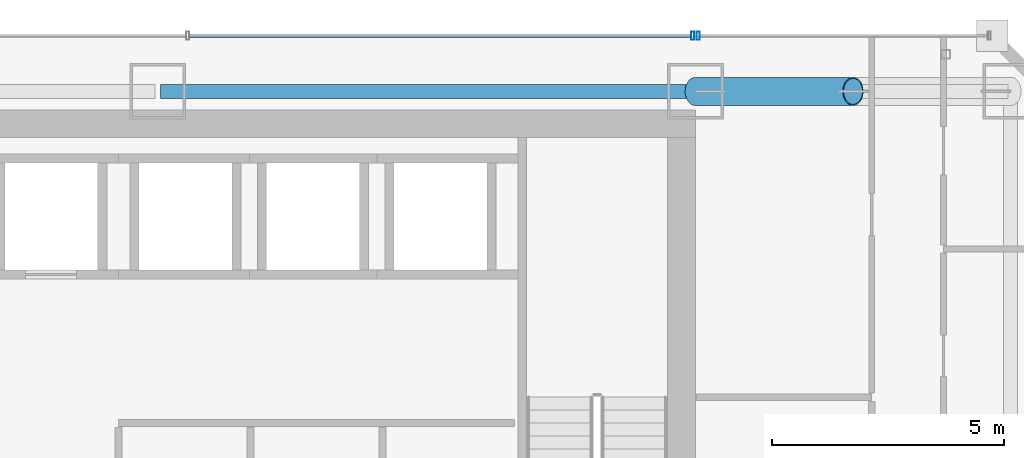
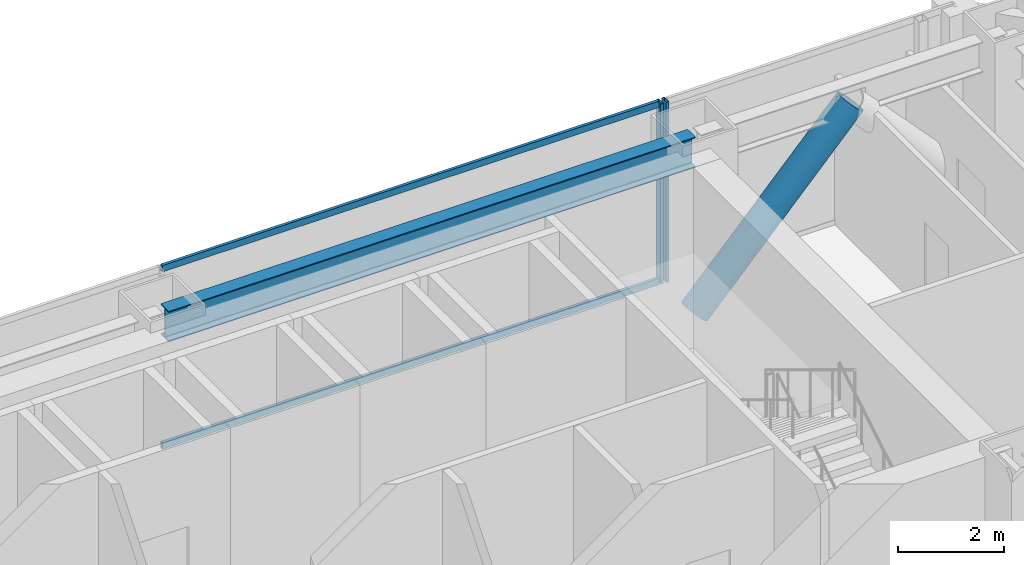
# One storey, part 32 of 47: 5 members, 1 beam, 2 elements without a shape of their own.
"""IFC4 building model written with IfcOpenShell, lengths in metres."""

from ifc_helpers import new_model, si_unit, direction, frame, origin, origin_2d, place, context, subcontext, project, spatial, hollow_rectangle, hollow_circle, i_section, extrude, material, material_profile, profile_set, type_object, element, aggregate, save


model = new_model("IFC4")

# Units and contexts
model_context = context("Model", 3, precision=1e-05, world=origin(), true_north=direction((0.0, 1.0)))
body_context = subcontext(model_context, "Body", "Model", "MODEL_VIEW")
ifc_project = project(units=[si_unit("LENGTHUNIT", "METRE"), si_unit("AREAUNIT", "SQUARE_METRE"), si_unit("VOLUMEUNIT", "CUBIC_METRE"), si_unit("PLANEANGLEUNIT", "RADIAN"), si_unit("MASSUNIT", "GRAM", prefix="KILO")], contexts=[model_context])

# Site, building, storey
site_placement = place(None, origin())
site = spatial("IfcSite", under=ifc_project, at=site_placement, CompositionType="ELEMENT")
building_placement = place(site_placement, origin())
building = spatial("IfcBuilding", under=site, at=building_placement, Name="Saevonmaru Cultural Tower", CompositionType="ELEMENT")
storey_placement = place(building_placement, frame((0.0, 0.0, 69.199951171875)))
storey = spatial("IfcBuildingStorey", under=building, at=storey_placement, Name="L14", CompositionType="ELEMENT", Elevation=69.199951171875)

# Beam
ifc_material_1 = material(Name="Steel SM355", Category="steel")
ifc_material_profile_1 = material_profile(ifc_material_1, i_section(OverallWidth=0.300048828125, OverallDepth=0.699951171875, WebThickness=0.012939453125, FlangeThickness=0.02392578125, FilletRadius=0.02587890625, at=origin_2d()), Name="H-700x300x13x24")
ifc_profile_set_1 = profile_set([ifc_material_profile_1], Name="Steel SM355")
beam_type = type_object("IfcBeamType", Name="BM-SP-H700", PredefinedType="SPANDREL", material=ifc_profile_set_1)
beam_placement = place(storey_placement, frame((34.860107421875, 54.800048828125, 3.800048828125), z_axis=(1.0, 0.0, 0.0), x_axis=(0.0, 1.0, 0.0)))
element("IfcBeam", 1, at=beam_placement, inside=storey, type_object=beam_type, Name="L14 North Spine Girder 4", PredefinedType="SPANDREL", context=body_context, shape_type="SweptSolid", body=[
    extrude(i_section(OverallWidth=0.300048828125, OverallDepth=0.699951171875, WebThickness=0.012939453125, FlangeThickness=0.02392578125, FilletRadius=0.02587890625, at=origin_2d()), origin(), (0.0, 0.0, 1.0), 11.47998046875),
])

# Member
ifc_material_2 = material(Name="Steel HSA600 (600 MPa)", Category="steel")
ifc_material_profile_2 = material_profile(ifc_material_2, hollow_circle(Radius=0.3046875, WallThickness=0.02490234375, at=origin_2d()), Name="CHS-609.6x25")
ifc_profile_set_2 = profile_set([ifc_material_profile_2], Name="Steel HSA600 (600 MPa)")
member_type_1 = type_object("IfcMemberType", Name="MB-PBR-CHS610", PredefinedType="BRACE", material=ifc_profile_set_2)
member_1_placement = place(storey_placement, frame((46.39990234375, 54.800048828125, 0.02001953125), z_axis=(0.681604731977, 0.0, 0.731720567803), x_axis=(0.0, 1.0, 0.0)))
element("IfcMember", 2, at=member_1_placement, inside=storey, type_object=member_type_1, Name="L14 Perimeter Braced-Tube Diagonal EN1", PredefinedType="BRACE", context=body_context, shape_type="SweptSolid", body=[
    extrude(hollow_circle(Radius=0.3046875, WallThickness=0.02490234375, at=origin_2d()), origin(), (0.0, 0.0, 1.0), 4.988525390625),
])

# Curtain wall, member
ifc_material_3 = material(Name="Satin Bronze Anodised Aluminium", Category="aluminium")
curtain_wall_type = type_object("IfcCurtainWallType", Name="CW-TYP-A", PredefinedType="NOTDEFINED", material=ifc_material_3)
curtain_wall_1_placement = place(storey_placement, origin())
curtain_wall_1 = element("IfcCurtainWall", 3, at=curtain_wall_1_placement, inside=storey, type_object=curtain_wall_type, Name="L14 East Braced Bay Spandrel Curtain Wall E10A", PredefinedType="NOTDEFINED")
ifc_material_profile_3 = material_profile(ifc_material_3, hollow_rectangle(XDim=0.06494140625, YDim=0.179931640625, WallThickness=0.00390625, at=origin_2d()), Name="ALU-MULL-180x65x4")
ifc_profile_set_3 = profile_set([ifc_material_profile_3], Name="Satin Bronze Anodised Aluminium")
member_type_2 = type_object("IfcMemberType", Name="ML-CW-180x65", PredefinedType="MULLION", material=ifc_profile_set_3)
member_2_placement = place(storey_placement, frame((46.4599609375, 56.0, 0.0), z_axis=(0.0, 0.0, 1.0), x_axis=(-1.0, 0.0, 0.0)))
member_2 = element("IfcMember", 4, at=member_2_placement, type_object=member_type_2, Name="CW-TW-L14-E10A mullion 2", PredefinedType="MULLION", context=body_context, shape_type="SweptSolid", body=[
    extrude(hollow_rectangle(XDim=0.06494140625, YDim=0.179931640625, WallThickness=0.00390625, at=origin_2d()), origin(), (0.0, 0.0, 1.0), 4.150146484375),
])
aggregate(curtain_wall_1, [member_2])

# Curtain wall, members
curtain_wall_2_placement = place(storey_placement, origin())
curtain_wall_2 = element("IfcCurtainWall", 5, at=curtain_wall_2_placement, inside=storey, type_object=curtain_wall_type, Name="L14 North Spine Unitised Curtain Wall E10B", PredefinedType="NOTDEFINED")
member_3_placement = place(storey_placement, frame((46.340087890625, 56.0, 0.0), z_axis=(0.0, 0.0, 1.0), x_axis=(-1.0, 0.0, 0.0)))
member_3 = element("IfcMember", 6, at=member_3_placement, type_object=member_type_2, Name="CW-TW-L14-E10B mullion 1", PredefinedType="MULLION", context=body_context, shape_type="SweptSolid", body=[
    extrude(hollow_rectangle(XDim=0.06494140625, YDim=0.179931640625, WallThickness=0.00390625, at=origin_2d()), origin(), (0.0, 0.0, 1.0), 4.150146484375),
])
ifc_material_profile_4 = material_profile(ifc_material_3, hollow_rectangle(XDim=0.06494140625, YDim=0.14990234375, WallThickness=0.00390625, at=origin_2d()), Name="ALU-TRAN-150x65x4")
ifc_profile_set_4 = profile_set([ifc_material_profile_4], Name="Satin Bronze Anodised Aluminium")
member_type_3 = type_object("IfcMemberType", Name="TR-CW-150x65", PredefinedType="USERDEFINED", material=ifc_profile_set_4)
member_4_placement = place(storey_placement, frame((46.3076171875, 56.0, 0.032470703125), z_axis=(-1.0, 0.0, 0.0), x_axis=(0.0, -1.0, 0.0)))
member_4 = element("IfcMember", 7, at=member_4_placement, type_object=member_type_3, Name="CW-TW-L14-E10B transom 1.1", ObjectType="TRANSOM", PredefinedType="USERDEFINED", context=body_context, shape_type="SweptSolid", body=[
    extrude(hollow_rectangle(XDim=0.06494140625, YDim=0.14990234375, WallThickness=0.00390625, at=origin_2d()), origin(), (0.0, 0.0, 1.0), 10.828369140625),
])
member_5_placement = place(storey_placement, frame((46.3076171875, 56.0, 4.117431640625), z_axis=(-1.0, 0.0, 0.0), x_axis=(0.0, -1.0, 0.0)))
member_5 = element("IfcMember", 8, at=member_5_placement, type_object=member_type_3, Name="CW-TW-L14-E10B transom 1.2", ObjectType="TRANSOM", PredefinedType="USERDEFINED", context=body_context, shape_type="SweptSolid", body=[
    extrude(hollow_rectangle(XDim=0.06494140625, YDim=0.14990234375, WallThickness=0.00390625, at=origin_2d()), origin(), (0.0, 0.0, 1.0), 10.828369140625),
])
aggregate(curtain_wall_2, [member_3, member_4, member_5])

save(model, "model.ifc")
